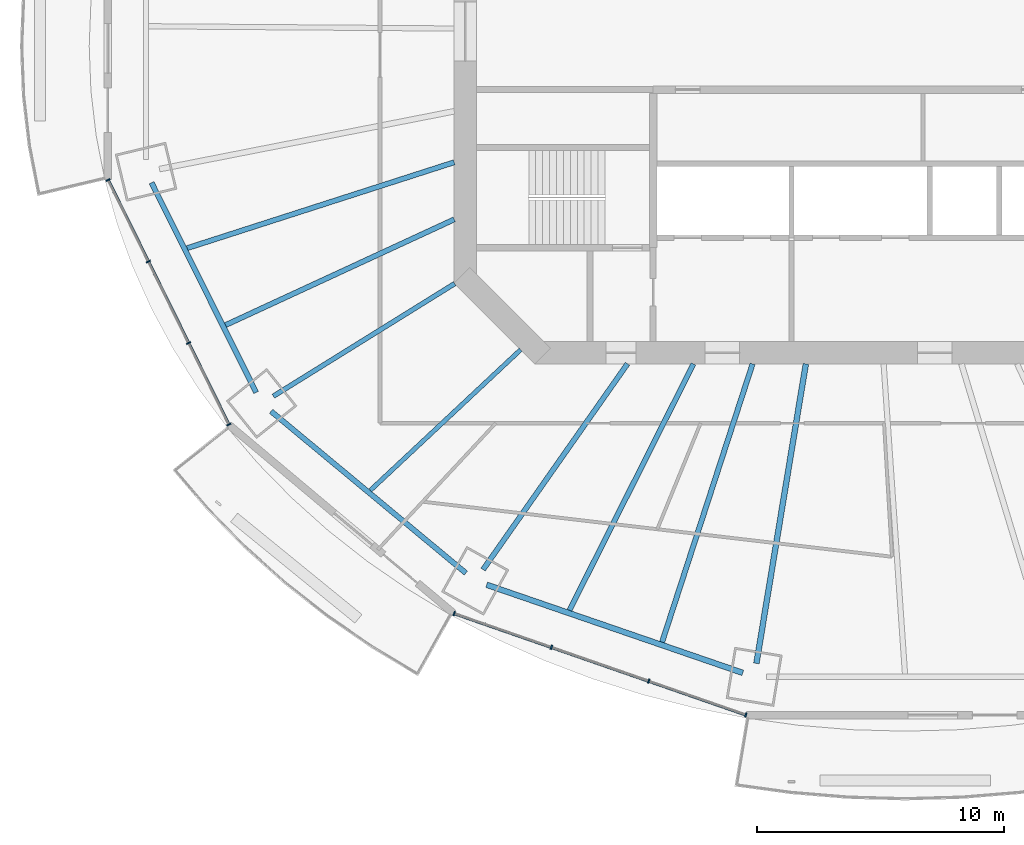
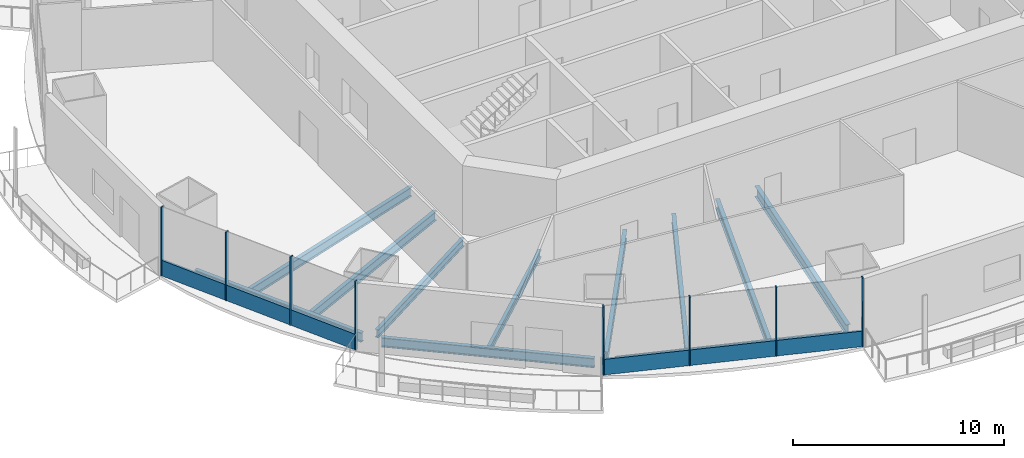
# One storey, part 2 of 21: 11 beams, 10 members, 2 elements without a shape of their own.
"""IFC4 building model written with IfcOpenShell, lengths in metres."""

import ifcopenshell
import ifcopenshell.guid

model = None  # the IFC model being written
_history = None  # IfcOwnerHistory: only IFC2X3 demands one
_inside = {}  # id of a spatial element -> (the spatial element, [elements in it])
_under = {}  # id of a project, library or spatial element -> (it, [spatial elements below it])
_declared = {}  # id of a project -> (the project, [libraries it declares])
_typed = {}  # id of a type object -> (the type object, [elements of that type])
_made_of = {}  # id of a material, layer set ... -> (it, [elements and type objects made of it])


def new_model(schema):
    """Start an empty IFC model of exactly this schema.

    Asked for "IFC4X3", IfcOpenShell would pick the latest addendum, in which some entities
    have other attributes; the version numbers below select the first issue.
    IFC2X3 requires an IfcOwnerHistory on every rooted entity: one is made here for all.
    """
    global model, _history
    if schema == "IFC4X3":
        model = ifcopenshell.file(schema_version=(4, 3, 0, 0))
    else:
        model = ifcopenshell.file(schema=schema)
    _inside.clear()
    _under.clear()
    _declared.clear()
    _typed.clear()
    _made_of.clear()
    _history = None
    if model.schema == "IFC2X3":
        org = make("IfcOrganization", Name="unknown")
        user = make(
            "IfcPersonAndOrganization",
            ThePerson=make("IfcPerson", FamilyName="unknown"),
            TheOrganization=org,
        )
        app = make(
            "IfcApplication",
            ApplicationDeveloper=org,
            Version="unknown",
            ApplicationFullName="unknown",
            ApplicationIdentifier="unknown",
        )
        _history = make(
            "IfcOwnerHistory",
            OwningUser=user,
            OwningApplication=app,
            ChangeAction="ADDED",
            CreationDate=0,
        )
    return model


def make(cls, **values):
    """One entity of the class cls with the attributes given. An attribute that is None is left unset."""
    return model.create_entity(
        cls, **{name: value for name, value in values.items() if value is not None}
    )


def rooted(cls, **values):
    """An entity with a GlobalId (a new one), such as an element, a storey or a relation."""
    return make(cls, GlobalId=ifcopenshell.guid.new(), OwnerHistory=_history, **values)


def si_unit(unit_type, name, prefix=None):
    """IfcSIUnit, for example si_unit("LENGTHUNIT", "METRE", prefix="MILLI")."""
    return make("IfcSIUnit", UnitType=unit_type, Prefix=prefix, Name=name)


def assignment(units):
    """IfcUnitAssignment: the units of a project."""
    return None if units is None else make("IfcUnitAssignment", Units=units)


def point(xyz):
    """IfcCartesianPoint."""
    return None if xyz is None else make("IfcCartesianPoint", Coordinates=xyz)


def direction(xyz):
    """IfcDirection."""
    return None if xyz is None else make("IfcDirection", DirectionRatios=xyz)


def frame(location, z_axis=None, x_axis=None):
    """IfcAxis2Placement3D, a coordinate frame: its origin and axes. An axis left out is left unset."""
    return make(
        "IfcAxis2Placement3D",
        Location=point(location),
        Axis=direction(z_axis),
        RefDirection=direction(x_axis),
    )


def frame_2d(location, x_axis=None):
    """IfcAxis2Placement2D, a coordinate frame in the plane: its origin and x axis."""
    return make(
        "IfcAxis2Placement2D", Location=point(location), RefDirection=direction(x_axis)
    )


def origin():
    """The frame at (0, 0, 0) with its axes left unset."""
    return frame((0.0, 0.0, 0.0))


def origin_2d():
    """The frame at (0, 0) in the plane with its x axis left unset."""
    return frame_2d((0.0, 0.0))


def place(relative_to, where):
    """IfcLocalPlacement: puts the frame where relative to a parent placement (None: the world)."""
    return make(
        "IfcLocalPlacement", PlacementRelTo=relative_to, RelativePlacement=where
    )


def context(
    kind, dimensions, precision=None, world=None, true_north=None, identifier=None
):
    """IfcGeometricRepresentationContext, for example the 3D "Model" context."""
    return make(
        "IfcGeometricRepresentationContext",
        ContextIdentifier=identifier,
        ContextType=kind,
        CoordinateSpaceDimension=dimensions,
        Precision=precision,
        WorldCoordinateSystem=world,
        TrueNorth=true_north,
    )


def subcontext(parent, identifier, kind, view, scale=None):
    """IfcGeometricRepresentationSubContext, for example "Body" below "Model"."""
    return make(
        "IfcGeometricRepresentationSubContext",
        ContextIdentifier=identifier,
        ContextType=kind,
        ParentContext=parent,
        TargetScale=scale,
        TargetView=view,
    )


def project(units=None, contexts=None):
    """IfcProject with its units and contexts."""
    return rooted(
        "IfcProject",
        Name="project",
        RepresentationContexts=contexts,
        UnitsInContext=assignment(units),
    )


def spatial(cls, under=None, at=None, **own):
    """A site, building, storey or space (cls), placed at a placement, below another one or the project."""
    s = rooted(cls, ObjectPlacement=at, **own)
    if under is not None:
        _under.setdefault(under.id(), (under, []))[1].append(s)
    return s


def profile(cls, at=None, kind="AREA", **sizes):
    """A parametric profile (cls). Its sizes go by their IFC names, for example OverallWidth=200.0."""
    return make(cls, ProfileType=kind, Position=at, **sizes)


def rectangle(**sizes):
    """IfcRectangleProfileDef."""
    return profile("IfcRectangleProfileDef", **sizes)


def i_section(**sizes):
    """IfcIShapeProfileDef."""
    return profile("IfcIShapeProfileDef", **sizes)


def extrude(swept, where, along, depth):
    """IfcExtrudedAreaSolid: the profile swept, set in the frame where, extruded along a direction by depth."""
    return make(
        "IfcExtrudedAreaSolid",
        SweptArea=swept,
        Position=where,
        ExtrudedDirection=direction(along),
        Depth=depth,
    )


def shape(context_of_items, identifier, shape_type, items):
    """IfcShapeRepresentation: the items that make up one representation, for example the "Body"."""
    return make(
        "IfcShapeRepresentation",
        ContextOfItems=context_of_items,
        RepresentationIdentifier=identifier,
        RepresentationType=shape_type,
        Items=items,
    )


def material(Name=None, Category=None):
    """IfcMaterial."""
    return make("IfcMaterial", Name=Name, Category=Category)


def material_profile(
    of_material, cross_section, Name=None, Category=None, Priority=None
):
    """IfcMaterialProfile: a cross section and its material."""
    return make(
        "IfcMaterialProfile",
        Name=Name,
        Material=of_material,
        Profile=cross_section,
        Priority=Priority,
        Category=Category,
    )


def profile_set(profiles, Name=None, composite=None):
    """IfcMaterialProfileSet."""
    return make(
        "IfcMaterialProfileSet",
        Name=Name,
        MaterialProfiles=profiles,
        CompositeProfile=composite,
    )


def made_of(thing, what):
    """Note that an element or type object is made of a material, layer set ...; save() writes the relation."""
    if what is not None:
        _made_of.setdefault(what.id(), (what, []))[1].append(thing)
    return thing


def type_object(cls, material=None, **own):
    """A type object (cls), such as IfcWallType, which elements share."""
    return made_of(rooted(cls, **own), material)


def element(
    cls,
    number,
    at=None,
    inside=None,
    cuts=None,
    type_object=None,
    material=None,
    context=None,
    identifier="Body",
    shape_type=None,
    held_by="IfcProductDefinitionShape",
    body=None,
    shapes=None,
    **own,
):
    """One element of the class cls, such as IfcWall. Its Tag is "e" and its number.

    at: its placement. inside: the storey or other place that contains it. cuts: it is an
    opening in that element (IfcRelVoidsElement). A single representation is given by context,
    identifier, shape_type and body (its items); several are given by shapes. held_by: the class
    of the entity that holds the representations. save() writes the other relations.
    """
    e = rooted(cls, Tag="e%d" % number, ObjectPlacement=at, **own)
    if body is not None:
        shapes = [shape(context, identifier, shape_type, body)]
    if shapes is not None:
        e.Representation = make(held_by, Representations=shapes)
    if inside is not None:
        _inside.setdefault(inside.id(), (inside, []))[1].append(e)
    if cuts is not None:
        rooted(
            "IfcRelVoidsElement", RelatingBuildingElement=cuts, RelatedOpeningElement=e
        )
    if type_object is not None:
        _typed.setdefault(type_object.id(), (type_object, []))[1].append(e)
    return made_of(e, material)


def aggregate(whole, parts):
    """IfcRelAggregates: a whole, such as a stair, and the parts it consists of."""
    return rooted("IfcRelAggregates", RelatingObject=whole, RelatedObjects=parts)


def save(model, path):
    """Write the relations noted so far, then the file.

    IfcRelAggregates (storeys below a building ...), IfcRelContainedInSpatialStructure (elements
    in a storey), IfcRelDefinesByType, IfcRelAssociatesMaterial and IfcRelDeclares: one each for
    every whole, place, type object, material and project.
    """
    for whole, parts in _under.values():
        aggregate(whole, parts)
    for where, things in _inside.values():
        rooted(
            "IfcRelContainedInSpatialStructure",
            RelatedElements=things,
            RelatingStructure=where,
        )
    for kind, things in _typed.values():
        rooted("IfcRelDefinesByType", RelatedObjects=things, RelatingType=kind)
    for what, things in _made_of.values():
        rooted("IfcRelAssociatesMaterial", RelatedObjects=things, RelatingMaterial=what)
    for by, libraries in _declared.values():
        rooted("IfcRelDeclares", RelatingContext=by, RelatedDefinitions=libraries)
    model.write(path)


model = new_model("IFC4")

# Units and contexts
model_context = context("Model", 3, precision=1e-05, world=origin(), true_north=direction((0.0, 1.0)))
body_context = subcontext(model_context, "Body", "Model", "MODEL_VIEW")
ifc_project = project(units=[si_unit("LENGTHUNIT", "METRE"), si_unit("AREAUNIT", "SQUARE_METRE"), si_unit("VOLUMEUNIT", "CUBIC_METRE"), si_unit("PLANEANGLEUNIT", "RADIAN"), si_unit("MASSUNIT", "GRAM", prefix="KILO")], contexts=[model_context])

# Site, building, storey
site_placement = place(None, origin())
site = spatial("IfcSite", under=ifc_project, at=site_placement, CompositionType="ELEMENT")
building_placement = place(site_placement, origin())
building = spatial("IfcBuilding", under=site, at=building_placement, Name="Marenthal Gate Tower", CompositionType="ELEMENT")
storey_placement = place(building_placement, frame((0.0, 0.0, 169.35009765625)))
storey = spatial("IfcBuildingStorey", under=building, at=storey_placement, Name="L36", CompositionType="ELEMENT", Elevation=169.35009765625)

# Curtain wall, members
ifc_material_1 = material(Name="Aluminium and glass", Category="aluminium")
curtain_wall_type = type_object("IfcCurtainWallType", Name="Curtain wall typical mid", PredefinedType="NOTDEFINED", material=ifc_material_1)
curtain_wall_1_placement = place(storey_placement, origin())
curtain_wall_1 = element("IfcCurtainWall", 1, at=curtain_wall_1_placement, inside=storey, type_object=curtain_wall_type, Name="Curtain wall L36 bay 9", PredefinedType="NOTDEFINED")
ifc_material_2 = material(Name="Aluminium", Category="aluminium")
ifc_material_profile_1 = material_profile(ifc_material_2, rectangle(XDim=0.179931640625, YDim=0.06005859375, at=origin_2d()), Name="60x180 aluminium mullion")
ifc_profile_set_1 = profile_set([ifc_material_profile_1], Name="Aluminium")
member_type_1 = type_object("IfcMemberType", Name="Mullion 60x180 typical mid", PredefinedType="MULLION", material=ifc_profile_set_1)
member_1_placement = place(storey_placement, frame((-30.45361328125, -6.009765625, 0.0), z_axis=(0.0, 0.0, 1.0), x_axis=(0.896608747182, 0.442823615536, 0.0)))
member_1 = element("IfcMember", 2, at=member_1_placement, type_object=member_type_1, Name="Mullion L36 bay 9.1", PredefinedType="MULLION", context=body_context, shape_type="SweptSolid", body=[
    extrude(rectangle(XDim=0.179931640625, YDim=0.06005859375, at=origin_2d()), origin(), (0.0, 0.0, 1.0), 3.969970703125),
])
member_2_placement = place(storey_placement, frame((-28.824951171875, -9.307373046875, 0.0), z_axis=(0.0, 0.0, 1.0), x_axis=(0.896608747182, 0.442823615536, 0.0)))
member_2 = element("IfcMember", 3, at=member_2_placement, type_object=member_type_1, Name="Mullion L36 bay 9.2", PredefinedType="MULLION", context=body_context, shape_type="SweptSolid", body=[
    extrude(rectangle(XDim=0.179931640625, YDim=0.06005859375, at=origin_2d()), origin(), (0.0, 0.0, 1.0), 3.969970703125),
])
member_3_placement = place(storey_placement, frame((-27.1962890625, -12.60498046875, 0.0), z_axis=(0.0, 0.0, 1.0), x_axis=(0.896608747182, 0.442823615536, 0.0)))
member_3 = element("IfcMember", 4, at=member_3_placement, type_object=member_type_1, Name="Mullion L36 bay 9.3", PredefinedType="MULLION", context=body_context, shape_type="SweptSolid", body=[
    extrude(rectangle(XDim=0.179931640625, YDim=0.06005859375, at=origin_2d()), origin(), (0.0, 0.0, 1.0), 3.969970703125),
])
member_4_placement = place(storey_placement, frame((-25.56787109375, -15.90234375, 0.0), z_axis=(0.0, 0.0, 1.0), x_axis=(0.896608747182, 0.442823615536, 0.0)))
member_4 = element("IfcMember", 5, at=member_4_placement, type_object=member_type_1, Name="Mullion L36 bay 9.4", PredefinedType="MULLION", context=body_context, shape_type="SweptSolid", body=[
    extrude(rectangle(XDim=0.179931640625, YDim=0.06005859375, at=origin_2d()), origin(), (0.0, 0.0, 1.0), 3.969970703125),
])

curtain_wall_2_placement = place(storey_placement, origin())
curtain_wall_2 = element("IfcCurtainWall", 6, at=curtain_wall_2_placement, inside=storey, type_object=curtain_wall_type, Name="Curtain wall L36 bay 11", PredefinedType="NOTDEFINED")
member_5_placement = place(storey_placement, frame((-16.449462890625, -23.5517578125, 0.0), z_axis=(0.0, 0.0, 1.0), x_axis=(0.328157600538, 0.944622987868, 0.0)))
member_5 = element("IfcMember", 7, at=member_5_placement, type_object=member_type_1, Name="Mullion L36 bay 11.1", PredefinedType="MULLION", context=body_context, shape_type="SweptSolid", body=[
    extrude(rectangle(XDim=0.179931640625, YDim=0.06005859375, at=origin_2d()), origin(), (0.0, 0.0, 1.0), 3.969970703125),
])
member_6_placement = place(storey_placement, frame((-12.51513671875, -24.91845703125, 0.0), z_axis=(0.0, 0.0, 1.0), x_axis=(0.328157600538, 0.944622987868, 0.0)))
member_6 = element("IfcMember", 8, at=member_6_placement, type_object=member_type_1, Name="Mullion L36 bay 11.2", PredefinedType="MULLION", context=body_context, shape_type="SweptSolid", body=[
    extrude(rectangle(XDim=0.179931640625, YDim=0.06005859375, at=origin_2d()), origin(), (0.0, 0.0, 1.0), 3.969970703125),
])
member_7_placement = place(storey_placement, frame((-8.580810546875, -26.28515625, 0.0), z_axis=(0.0, 0.0, 1.0), x_axis=(0.328157600538, 0.944622987868, 0.0)))
member_7 = element("IfcMember", 9, at=member_7_placement, type_object=member_type_1, Name="Mullion L36 bay 11.3", PredefinedType="MULLION", context=body_context, shape_type="SweptSolid", body=[
    extrude(rectangle(XDim=0.179931640625, YDim=0.06005859375, at=origin_2d()), origin(), (0.0, 0.0, 1.0), 3.969970703125),
])
member_8_placement = place(storey_placement, frame((-4.646728515625, -27.65185546875, 0.0), z_axis=(0.0, 0.0, 1.0), x_axis=(0.328157600538, 0.944622987868, 0.0)))
member_8 = element("IfcMember", 10, at=member_8_placement, type_object=member_type_1, Name="Mullion L36 bay 11.4", PredefinedType="MULLION", context=body_context, shape_type="SweptSolid", body=[
    extrude(rectangle(XDim=0.179931640625, YDim=0.06005859375, at=origin_2d()), origin(), (0.0, 0.0, 1.0), 3.969970703125),
])

# Member
ifc_material_3 = material(Name="Aluminium", Category="aluminium")
ifc_material_profile_2 = material_profile(ifc_material_3, rectangle(XDim=0.1201171875, YDim=0.89990234375, at=origin_2d()), Name="120x900 aluminium transom")
ifc_profile_set_2 = profile_set([ifc_material_profile_2], Name="Aluminium")
member_type_2 = type_object("IfcMemberType", Name="Transom 120x900 typical mid", PredefinedType="USERDEFINED", material=ifc_profile_set_2)
member_9_placement = place(storey_placement, frame((-30.4404296875, -6.03662109375, 0.449951171875), z_axis=(0.442829775425, -0.896605704865, 0.0), x_axis=(0.896605704865, 0.442829775425, 0.0)))
member_9 = element("IfcMember", 11, at=member_9_placement, type_object=member_type_2, Name="Transom L36 bay 9", ObjectType="TRANSOM", PredefinedType="USERDEFINED", context=body_context, shape_type="SweptSolid", body=[
    extrude(rectangle(XDim=0.1201171875, YDim=0.89990234375, at=origin_2d()), origin(), (0.0, 0.0, 1.0), 10.973388671875),
])

aggregate(curtain_wall_1, [member_1, member_2, member_3, member_4, member_9])

member_10_placement = place(storey_placement, frame((-16.421142578125, -23.5615234375, 0.449951171875), z_axis=(0.944622278222, -0.328159643295, 0.0), x_axis=(0.328159643295, 0.944622278222, 0.0)))
member_10 = element("IfcMember", 12, at=member_10_placement, type_object=member_type_2, Name="Transom L36 bay 11", ObjectType="TRANSOM", PredefinedType="USERDEFINED", context=body_context, shape_type="SweptSolid", body=[
    extrude(rectangle(XDim=0.1201171875, YDim=0.89990234375, at=origin_2d()), origin(), (0.0, 0.0, 1.0), 12.434814453125),
])

aggregate(curtain_wall_2, [member_5, member_6, member_7, member_8, member_10])

# Beams
ifc_material_4 = material(Name="Steel S355", Category="steel")
ifc_material_profile_3 = material_profile(ifc_material_4, i_section(OverallWidth=0.180908203125, OverallDepth=0.4169921875, WebThickness=0.010986328125, FlangeThickness=0.018310546875, FilletRadius=0.01025390625, at=origin_2d()), Name="W410X85")
ifc_profile_set_3 = profile_set([ifc_material_profile_3], Name="Steel S355")
beam_type_1 = type_object("IfcBeamType", Name="W410X85 beam", PredefinedType="BEAM", material=ifc_profile_set_3)
beam_1_placement = place(storey_placement, frame((-19.84228515625, -18.56689453125, -0.388671875), z_axis=(0.730181308965, 0.683253434706, 0.0), x_axis=(-0.683253434706, 0.730181308965, 0.0)))
element("IfcBeam", 13, at=beam_1_placement, inside=storey, type_object=beam_type_1, Name="BM-L36-31", PredefinedType="BEAM", context=body_context, shape_type="SweptSolid", body=[
    extrude(i_section(OverallWidth=0.180908203125, OverallDepth=0.4169921875, WebThickness=0.010986328125, FlangeThickness=0.018310546875, FilletRadius=0.01025390625, at=origin_2d()), origin(), (0.0, 0.0, 1.0), 8.3291015625),
])
ifc_material_5 = material(Name="Steel S355", Category="steel")
ifc_material_profile_4 = material_profile(ifc_material_5, i_section(OverallWidth=0.193115234375, OverallDepth=0.467041015625, WebThickness=0.011474609375, FlangeThickness=0.01904296875, FilletRadius=0.010009765625, at=origin_2d()), Name="W460X97")
ifc_profile_set_4 = profile_set([ifc_material_profile_4], Name="Steel S355")
beam_type_2 = type_object("IfcBeamType", Name="W460X97 beam", PredefinedType="BEAM", material=ifc_profile_set_4)
beam_2_placement = place(storey_placement, frame((-23.766845703125, -14.757080078125, -0.41357421875), z_axis=(0.849570681467, 0.527474792944, 0.0), x_axis=(-0.527474792944, 0.849570681467, 0.0)))
element("IfcBeam", 14, at=beam_2_placement, inside=storey, type_object=beam_type_2, Name="BM-L36-10", PredefinedType="BEAM", context=body_context, shape_type="SweptSolid", body=[
    extrude(i_section(OverallWidth=0.193115234375, OverallDepth=0.467041015625, WebThickness=0.011474609375, FlangeThickness=0.01904296875, FilletRadius=0.010009765625, at=origin_2d()), origin(), (0.0, 0.0, 1.0), 8.632568359375),
])
ifc_material_6 = material(Name="Steel S355", Category="steel")
ifc_material_profile_5 = material_profile(ifc_material_6, i_section(OverallWidth=0.2099609375, OverallDepth=0.535888671875, WebThickness=0.010986328125, FlangeThickness=0.017333984375, FilletRadius=0.0126953125, at=origin_2d()), Name="W530X101")
ifc_profile_set_5 = profile_set([ifc_material_profile_5], Name="Steel S355")
beam_type_3 = type_object("IfcBeamType", Name="W530X101 beam", PredefinedType="BEAM", material=ifc_profile_set_5)
beam_3_placement = place(storey_placement, frame((-27.25634765625, -8.767578125, -0.447998046875), z_axis=(0.951962078631, 0.306215938268, 0.0), x_axis=(-0.306215938268, 0.951962078631, 0.0)))
element("IfcBeam", 15, at=beam_3_placement, inside=storey, type_object=beam_type_3, Name="BM-L36-29", PredefinedType="BEAM", context=body_context, shape_type="SweptSolid", body=[
    extrude(i_section(OverallWidth=0.2099609375, OverallDepth=0.535888671875, WebThickness=0.010986328125, FlangeThickness=0.017333984375, FilletRadius=0.0126953125, at=origin_2d()), origin(), (0.0, 0.0, 1.0), 11.351806640625),
])
beam_4_placement = place(storey_placement, frame((-25.703369140625, -11.88134765625, -0.447998046875), z_axis=(0.907715301271, 0.419586620185, 0.0), x_axis=(-0.419586620185, 0.907715301271, 0.0)))
element("IfcBeam", 16, at=beam_4_placement, inside=storey, type_object=beam_type_3, Name="BM-L36-30", PredefinedType="BEAM", context=body_context, shape_type="SweptSolid", body=[
    extrude(i_section(OverallWidth=0.2099609375, OverallDepth=0.535888671875, WebThickness=0.010986328125, FlangeThickness=0.017333984375, FilletRadius=0.0126953125, at=origin_2d()), origin(), (0.0, 0.0, 1.0), 10.194091796875),
])
beam_5_placement = place(storey_placement, frame((-11.78466796875, -23.419677734375, -0.447998046875), z_axis=(0.449487147082, 0.893286798631, 0.0), x_axis=(-0.893286798631, 0.449487147082, 0.0)))
element("IfcBeam", 17, at=beam_5_placement, inside=storey, type_object=beam_type_3, Name="BM-L36-32", PredefinedType="BEAM", context=body_context, shape_type="SweptSolid", body=[
    extrude(i_section(OverallWidth=0.2099609375, OverallDepth=0.535888671875, WebThickness=0.010986328125, FlangeThickness=0.017333984375, FilletRadius=0.0126953125, at=origin_2d()), origin(), (0.0, 0.0, 1.0), 11.16064453125),
])
ifc_material_7 = material(Name="Steel S355", Category="steel")
ifc_material_profile_6 = material_profile(ifc_material_7, i_section(OverallWidth=0.2119140625, OverallDepth=0.5439453125, WebThickness=0.01318359375, FlangeThickness=0.021240234375, FilletRadius=0.0126953125, at=origin_2d()), Name="W530X123")
ifc_profile_set_6 = profile_set([ifc_material_profile_6], Name="Steel S355")
beam_type_4 = type_object("IfcBeamType", Name="W530X123 beam", PredefinedType="BEAM", material=ifc_profile_set_6)
beam_6_placement = place(storey_placement, frame((-15.280517578125, -21.773193359375, -0.4521484375), z_axis=(0.574454536537, 0.818536489994, 0.0), x_axis=(-0.818536489994, 0.574454536537, 0.0)))
element("IfcBeam", 18, at=beam_6_placement, inside=storey, type_object=beam_type_4, Name="BM-L36-11", PredefinedType="BEAM", context=body_context, shape_type="SweptSolid", body=[
    extrude(i_section(OverallWidth=0.2119140625, OverallDepth=0.5439453125, WebThickness=0.01318359375, FlangeThickness=0.021240234375, FilletRadius=0.0126953125, at=origin_2d()), origin(), (0.0, 0.0, 1.0), 10.16845703125),
])
beam_7_placement = place(storey_placement, frame((-8.037841796875, -24.70849609375, -0.4521484375), z_axis=(0.309340184781, 0.950951444649, 0.0), x_axis=(-0.950951444649, 0.309340184781, 0.0)))
element("IfcBeam", 19, at=beam_7_placement, inside=storey, type_object=beam_type_4, Name="BM-L36-33", PredefinedType="BEAM", context=body_context, shape_type="SweptSolid", body=[
    extrude(i_section(OverallWidth=0.2119140625, OverallDepth=0.5439453125, WebThickness=0.01318359375, FlangeThickness=0.021240234375, FilletRadius=0.0126953125, at=origin_2d()), origin(), (0.0, 0.0, 1.0), 11.83935546875),
])
beam_8_placement = place(storey_placement, frame((-28.693603515625, -6.122802734375, -0.4521484375), z_axis=(0.446296506962, -0.894885147868, 0.0), x_axis=(0.894885147868, 0.446296506962, 0.0)))
element("IfcBeam", 20, at=beam_8_placement, inside=storey, type_object=beam_type_4, Name="BM-L36-49", PredefinedType="BEAM", context=body_context, shape_type="SweptSolid", body=[
    extrude(i_section(OverallWidth=0.2119140625, OverallDepth=0.5439453125, WebThickness=0.01318359375, FlangeThickness=0.021240234375, FilletRadius=0.0126953125, at=origin_2d()), origin(), (0.0, 0.0, 1.0), 9.4794921875),
])
beam_9_placement = place(storey_placement, frame((-23.860107421875, -15.36767578125, -0.4521484375), z_axis=(0.769269111774, -0.638924904563, 0.0), x_axis=(0.638924904563, 0.769269111774, 0.0)))
element("IfcBeam", 21, at=beam_9_placement, inside=storey, type_object=beam_type_4, Name="BM-L36-50", PredefinedType="BEAM", context=body_context, shape_type="SweptSolid", body=[
    extrude(i_section(OverallWidth=0.2119140625, OverallDepth=0.5439453125, WebThickness=0.01318359375, FlangeThickness=0.021240234375, FilletRadius=0.0126953125, at=origin_2d()), origin(), (0.0, 0.0, 1.0), 10.24560546875),
])
ifc_material_8 = material(Name="Steel S355", Category="steel")
ifc_material_profile_7 = material_profile(ifc_material_8, i_section(OverallWidth=0.22900390625, OverallDepth=0.612060546875, WebThickness=0.011962890625, FlangeThickness=0.01953125, FilletRadius=0.0126953125, at=origin_2d()), Name="W610X125")
ifc_profile_set_7 = profile_set([ifc_material_profile_7], Name="Steel S355")
beam_type_5 = type_object("IfcBeamType", Name="W610X125 beam", PredefinedType="BEAM", material=ifc_profile_set_7)
beam_10_placement = place(storey_placement, frame((-4.220458984375, -25.569580078125, -0.486083984375), z_axis=(0.162858182695, 0.98664948808, 0.0), x_axis=(-0.98664948808, 0.162858182695, 0.0)))
element("IfcBeam", 22, at=beam_10_placement, inside=storey, type_object=beam_type_5, Name="BM-L36-12", PredefinedType="BEAM", context=body_context, shape_type="SweptSolid", body=[
    extrude(i_section(OverallWidth=0.22900390625, OverallDepth=0.612060546875, WebThickness=0.011962890625, FlangeThickness=0.01953125, FilletRadius=0.0126953125, at=origin_2d()), origin(), (0.0, 0.0, 1.0), 12.28369140625),
])
beam_11_placement = place(storey_placement, frame((-15.136474609375, -22.3876953125, -0.486083984375), z_axis=(0.945610391529, -0.32530137939, 0.0), x_axis=(0.32530137939, 0.945610391529, 0.0)))
element("IfcBeam", 23, at=beam_11_placement, inside=storey, type_object=beam_type_5, Name="BM-L36-51", PredefinedType="BEAM", context=body_context, shape_type="SweptSolid", body=[
    extrude(i_section(OverallWidth=0.22900390625, OverallDepth=0.612060546875, WebThickness=0.011962890625, FlangeThickness=0.01953125, FilletRadius=0.0126953125, at=origin_2d()), origin(), (0.0, 0.0, 1.0), 10.96044921875),
])

save(model, "model.ifc")
